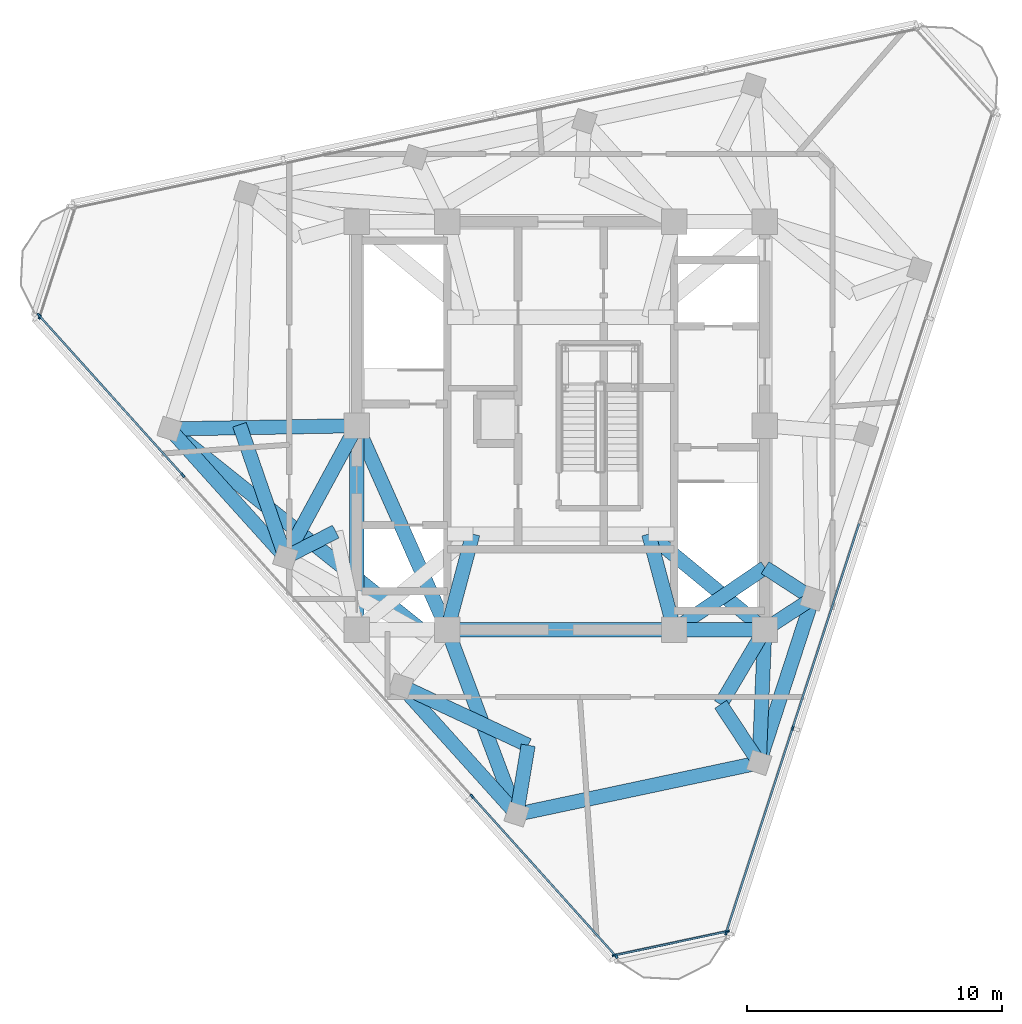
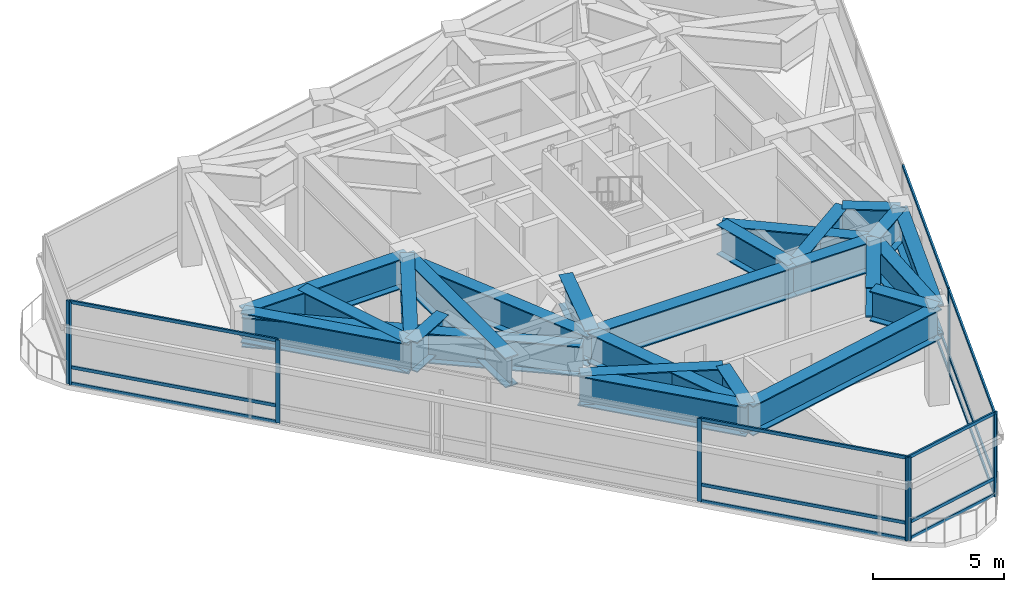
# One storey, part 3 of 11: 25 beams, 24 members, 4 elements without a shape of their own.
"""IFC4 building model written with IfcOpenShell, lengths in metres."""

from ifc_helpers import new_model, si_unit, direction, frame, origin, origin_2d, place, context, subcontext, project, spatial, rectangle, i_section, extrude, material, layer, layer_set, material_profile, profile_set, type_object, element, aggregate, save


model = new_model("IFC4")

# Units and contexts
model_context = context("Model", 3, precision=1e-05, world=origin(), true_north=direction((0.0, 1.0)))
body_context = subcontext(model_context, "Body", "Model", "MODEL_VIEW")
ifc_project = project(units=[si_unit("LENGTHUNIT", "METRE"), si_unit("AREAUNIT", "SQUARE_METRE"), si_unit("VOLUMEUNIT", "CUBIC_METRE"), si_unit("PLANEANGLEUNIT", "RADIAN"), si_unit("MASSUNIT", "GRAM", prefix="KILO")], contexts=[model_context])

# Site, building, storey
site_placement = place(None, origin())
site = spatial("IfcSite", under=ifc_project, at=site_placement, CompositionType="ELEMENT")
building_placement = place(site_placement, origin())
building = spatial("IfcBuilding", under=site, at=building_placement, Name="Terralouvre Media Tower", CompositionType="ELEMENT")
storey_placement = place(building_placement, frame((0.0, 0.0, 322.0)))
storey = spatial("IfcBuildingStorey", under=building, at=storey_placement, Name="L83", CompositionType="ELEMENT", Elevation=322.0)

# Curtain wall, members
ifc_material_1 = material(Name="Low-iron laminated double glazing with solar-control coating", Category="glass")
ifc_layer_1 = layer(ifc_material_1, 0.1650390625, Name="Faceted Glass-Point Crown Curtain Wall CW-06")
ifc_layer_set_1 = layer_set([ifc_layer_1], Name="Low-iron laminated double glazing with solar-control coating")
curtain_wall_type_1 = type_object("IfcCurtainWallType", Name="Faceted Glass-Point Crown Curtain Wall CW-06", PredefinedType="NOTDEFINED", material=ifc_layer_set_1)
curtain_wall_1_placement = place(storey_placement, origin())
curtain_wall_1 = element("IfcCurtainWall", 1, at=curtain_wall_1_placement, inside=storey, type_object=curtain_wall_type_1, Name="L83 Facade Curtain Wall F0", PredefinedType="NOTDEFINED")
ifc_material_2 = material(Name="Anodised extruded aluminium 6063-T6", Category="aluminium")
ifc_material_profile_1 = material_profile(ifc_material_2, rectangle(XDim=0.074951171875, YDim=0.14990234375, at=origin_2d()), Name="ALU 75x150")
ifc_profile_set_1 = profile_set([ifc_material_profile_1], Name="Anodised extruded aluminium 6063-T6")
member_type_1 = type_object("IfcMemberType", Name="Curtain-Wall Horizontal Transom TR-150", PredefinedType="USERDEFINED", material=ifc_profile_set_1)
member_1_placement = place(storey_placement, frame((6.49853515625, -19.85498046875, 0.03759765625), z_axis=(0.309027979033, 0.951052947093, 0.0), x_axis=(-0.951052947093, 0.309027979033, 0.0)))
member_1 = element("IfcMember", 2, at=member_1_placement, type_object=member_type_1, Name="CW-06 transom 1.1", ObjectType="TRANSOM", PredefinedType="USERDEFINED", context=body_context, shape_type="SweptSolid", body=[
    extrude(rectangle(XDim=0.074951171875, YDim=0.14990234375, at=origin_2d()), origin(), (0.0, 0.0, 1.0), 8.362548828125),
])
member_2_placement = place(storey_placement, frame((6.49853515625, -19.85498046875, 0.800048828125), z_axis=(0.309027979033, 0.951052947093, 0.0), x_axis=(-0.951052947093, 0.309027979033, 0.0)))
member_2 = element("IfcMember", 3, at=member_2_placement, type_object=member_type_1, Name="CW-06 transom 1.2", ObjectType="TRANSOM", PredefinedType="USERDEFINED", context=body_context, shape_type="SweptSolid", body=[
    extrude(rectangle(XDim=0.074951171875, YDim=0.14990234375, at=origin_2d()), origin(), (0.0, 0.0, 1.0), 8.362548828125),
])
member_3_placement = place(storey_placement, frame((6.49853515625, -19.85498046875, 3.842529296875), z_axis=(0.309027979033, 0.951052947093, 0.0), x_axis=(-0.951052947093, 0.309027979033, 0.0)))
member_3 = element("IfcMember", 4, at=member_3_placement, type_object=member_type_1, Name="CW-06 transom 1.3", ObjectType="TRANSOM", PredefinedType="USERDEFINED", context=body_context, shape_type="SweptSolid", body=[
    extrude(rectangle(XDim=0.074951171875, YDim=0.14990234375, at=origin_2d()), origin(), (0.0, 0.0, 1.0), 8.362548828125),
])
member_4_placement = place(storey_placement, frame((9.10595703125, -11.830322265625, 0.03759765625), z_axis=(0.30901640812, 0.951056706781, 0.0), x_axis=(-0.951056706781, 0.30901640812, 0.0)))
member_4 = element("IfcMember", 5, at=member_4_placement, type_object=member_type_1, Name="CW-06 transom 2.1", ObjectType="TRANSOM", PredefinedType="USERDEFINED", context=body_context, shape_type="SweptSolid", body=[
    extrude(rectangle(XDim=0.074951171875, YDim=0.14990234375, at=origin_2d()), origin(), (0.0, 0.0, 1.0), 8.39990234375),
])
member_5_placement = place(storey_placement, frame((9.10595703125, -11.830322265625, 0.800048828125), z_axis=(0.30901640812, 0.951056706781, 0.0), x_axis=(-0.951056706781, 0.30901640812, 0.0)))
member_5 = element("IfcMember", 6, at=member_5_placement, type_object=member_type_1, Name="CW-06 transom 2.2", ObjectType="TRANSOM", PredefinedType="USERDEFINED", context=body_context, shape_type="SweptSolid", body=[
    extrude(rectangle(XDim=0.074951171875, YDim=0.14990234375, at=origin_2d()), origin(), (0.0, 0.0, 1.0), 8.39990234375),
])
member_6_placement = place(storey_placement, frame((9.10595703125, -11.830322265625, 3.842529296875), z_axis=(0.30901640812, 0.951056706781, 0.0), x_axis=(-0.951056706781, 0.30901640812, 0.0)))
member_6 = element("IfcMember", 7, at=member_6_placement, type_object=member_type_1, Name="CW-06 transom 2.3", ObjectType="TRANSOM", PredefinedType="USERDEFINED", context=body_context, shape_type="SweptSolid", body=[
    extrude(rectangle(XDim=0.074951171875, YDim=0.14990234375, at=origin_2d()), origin(), (0.0, 0.0, 1.0), 8.39990234375),
])

curtain_wall_2_placement = place(storey_placement, origin())
curtain_wall_2 = element("IfcCurtainWall", 8, at=curtain_wall_2_placement, inside=storey, type_object=curtain_wall_type_1, Name="L83 Facade Curtain Wall F2", PredefinedType="NOTDEFINED")
member_7_placement = place(storey_placement, frame((-20.4443359375, 4.299560546875, 0.03759765625), z_axis=(0.669134073638, -0.74314170351, 0.0), x_axis=(0.74314170351, 0.669134073638, 0.0)))
member_7 = element("IfcMember", 9, at=member_7_placement, type_object=member_type_1, Name="CW-06 transom 1.1", ObjectType="TRANSOM", PredefinedType="USERDEFINED", context=body_context, shape_type="SweptSolid", body=[
    extrude(rectangle(XDim=0.074951171875, YDim=0.14990234375, at=origin_2d()), origin(), (0.0, 0.0, 1.0), 8.362548828125),
])
member_8_placement = place(storey_placement, frame((-20.4443359375, 4.299560546875, 0.800048828125), z_axis=(0.669134073638, -0.74314170351, 0.0), x_axis=(0.74314170351, 0.669134073638, 0.0)))
member_8 = element("IfcMember", 10, at=member_8_placement, type_object=member_type_1, Name="CW-06 transom 1.2", ObjectType="TRANSOM", PredefinedType="USERDEFINED", context=body_context, shape_type="SweptSolid", body=[
    extrude(rectangle(XDim=0.074951171875, YDim=0.14990234375, at=origin_2d()), origin(), (0.0, 0.0, 1.0), 8.362548828125),
])
member_9_placement = place(storey_placement, frame((-20.4443359375, 4.299560546875, 3.842529296875), z_axis=(0.669134073638, -0.74314170351, 0.0), x_axis=(0.74314170351, 0.669134073638, 0.0)))
member_9 = element("IfcMember", 11, at=member_9_placement, type_object=member_type_1, Name="CW-06 transom 1.3", ObjectType="TRANSOM", PredefinedType="USERDEFINED", context=body_context, shape_type="SweptSolid", body=[
    extrude(rectangle(XDim=0.074951171875, YDim=0.14990234375, at=origin_2d()), origin(), (0.0, 0.0, 1.0), 8.362548828125),
])
member_10_placement = place(storey_placement, frame((-3.45654296875, -14.567138671875, 0.03759765625), z_axis=(0.669117950316, -0.743156220834, 0.0), x_axis=(0.743156220834, 0.669117950316, 0.0)))
member_10 = element("IfcMember", 12, at=member_10_placement, type_object=member_type_1, Name="CW-06 transom 4.1", ObjectType="TRANSOM", PredefinedType="USERDEFINED", context=body_context, shape_type="SweptSolid", body=[
    extrude(rectangle(XDim=0.074951171875, YDim=0.14990234375, at=origin_2d()), origin(), (0.0, 0.0, 1.0), 8.362548828125),
])
member_11_placement = place(storey_placement, frame((-3.45654296875, -14.567138671875, 0.800048828125), z_axis=(0.669117950316, -0.743156220834, 0.0), x_axis=(0.743156220834, 0.669117950316, 0.0)))
member_11 = element("IfcMember", 13, at=member_11_placement, type_object=member_type_1, Name="CW-06 transom 4.2", ObjectType="TRANSOM", PredefinedType="USERDEFINED", context=body_context, shape_type="SweptSolid", body=[
    extrude(rectangle(XDim=0.074951171875, YDim=0.14990234375, at=origin_2d()), origin(), (0.0, 0.0, 1.0), 8.362548828125),
])
member_12_placement = place(storey_placement, frame((-3.45654296875, -14.567138671875, 3.842529296875), z_axis=(0.669117950316, -0.743156220834, 0.0), x_axis=(0.743156220834, 0.669117950316, 0.0)))
member_12 = element("IfcMember", 14, at=member_12_placement, type_object=member_type_1, Name="CW-06 transom 4.3", ObjectType="TRANSOM", PredefinedType="USERDEFINED", context=body_context, shape_type="SweptSolid", body=[
    extrude(rectangle(XDim=0.074951171875, YDim=0.14990234375, at=origin_2d()), origin(), (0.0, 0.0, 1.0), 8.362548828125),
])

ifc_material_3 = material(Name="Low-iron laminated double glazing with solar-control coating", Category="glass")
ifc_layer_2 = layer(ifc_material_3, 0.1650390625, Name="Rounded Wind-Corner Curved Glazing CW-04")
ifc_layer_set_2 = layer_set([ifc_layer_2], Name="Low-iron laminated double glazing with solar-control coating")
curtain_wall_type_2 = type_object("IfcCurtainWallType", Name="Rounded Wind-Corner Curved Glazing CW-04", PredefinedType="NOTDEFINED", material=ifc_layer_set_2)
curtain_wall_3_placement = place(storey_placement, origin())
curtain_wall_3 = element("IfcCurtainWall", 15, at=curtain_wall_3_placement, inside=storey, type_object=curtain_wall_type_2, Name="L83 Rounded Wind-Corner Curtain Wall C0", PredefinedType="NOTDEFINED")
member_13_placement = place(storey_placement, frame((2.144287109375, -20.76513671875, 0.03759765625), z_axis=(0.978147110007, 0.207913999491, 0.0), x_axis=(-0.207913999491, 0.978147110007, 0.0)))
member_13 = element("IfcMember", 16, at=member_13_placement, type_object=member_type_1, Name="CW-04 transom 1.1", ObjectType="TRANSOM", PredefinedType="USERDEFINED", context=body_context, shape_type="SweptSolid", body=[
    extrude(rectangle(XDim=0.074951171875, YDim=0.14990234375, at=origin_2d()), origin(), (0.0, 0.0, 1.0), 4.439697265625),
])
member_14_placement = place(storey_placement, frame((2.144287109375, -20.76513671875, 0.800048828125), z_axis=(0.978147110007, 0.207913999491, 0.0), x_axis=(-0.207913999491, 0.978147110007, 0.0)))
member_14 = element("IfcMember", 17, at=member_14_placement, type_object=member_type_1, Name="CW-04 transom 1.2", ObjectType="TRANSOM", PredefinedType="USERDEFINED", context=body_context, shape_type="SweptSolid", body=[
    extrude(rectangle(XDim=0.074951171875, YDim=0.14990234375, at=origin_2d()), origin(), (0.0, 0.0, 1.0), 4.439697265625),
])
member_15_placement = place(storey_placement, frame((2.144287109375, -20.76513671875, 3.842529296875), z_axis=(0.978147110007, 0.207913999491, 0.0), x_axis=(-0.207913999491, 0.978147110007, 0.0)))
member_15 = element("IfcMember", 18, at=member_15_placement, type_object=member_type_1, Name="CW-04 transom 1.3", ObjectType="TRANSOM", PredefinedType="USERDEFINED", context=body_context, shape_type="SweptSolid", body=[
    extrude(rectangle(XDim=0.074951171875, YDim=0.14990234375, at=origin_2d()), origin(), (0.0, 0.0, 1.0), 4.439697265625),
])

# Member
ifc_material_4 = material(Name="Anodised extruded aluminium 6063-T6", Category="aluminium")
ifc_material_profile_2 = material_profile(ifc_material_4, rectangle(XDim=0.074951171875, YDim=0.179931640625, at=origin_2d()), Name="ALU 75x180")
ifc_profile_set_2 = profile_set([ifc_material_profile_2], Name="Anodised extruded aluminium 6063-T6")
member_type_2 = type_object("IfcMemberType", Name="Curtain-Wall Vertical Mullion ML-180", PredefinedType="MULLION", material=ifc_profile_set_2)
member_16_placement = place(storey_placement, frame((6.487060546875, -19.890625, 0.0), z_axis=(0.0, 0.0, 1.0), x_axis=(-0.9510565808, 0.30901679585, 0.0)))
member_16 = element("IfcMember", 19, at=member_16_placement, type_object=member_type_2, Name="CW-06 mullion 1", PredefinedType="MULLION", context=body_context, shape_type="SweptSolid", body=[
    extrude(rectangle(XDim=0.074951171875, YDim=0.179931640625, at=origin_2d()), origin(), (0.0, 0.0, 1.0), 3.8798828125),
])

member_17_placement = place(storey_placement, frame((9.094482421875, -11.865966796875, 0.0), z_axis=(0.0, 0.0, 1.0), x_axis=(-0.9510565808, 0.30901679585, 0.0)))
member_17 = element("IfcMember", 20, at=member_17_placement, type_object=member_type_2, Name="CW-06 mullion 2", PredefinedType="MULLION", context=body_context, shape_type="SweptSolid", body=[
    extrude(rectangle(XDim=0.074951171875, YDim=0.179931640625, at=origin_2d()), origin(), (0.0, 0.0, 1.0), 3.8798828125),
])

aggregate(curtain_wall_1, [member_16, member_17, member_1, member_2, member_3, member_4, member_5, member_6])

member_18_placement = place(storey_placement, frame((-20.46923828125, 4.327392578125, 0.0), z_axis=(0.0, 0.0, 1.0), x_axis=(0.743144795125, 0.669130640069, 0.0)))
member_18 = element("IfcMember", 21, at=member_18_placement, type_object=member_type_2, Name="CW-06 mullion 1", PredefinedType="MULLION", context=body_context, shape_type="SweptSolid", body=[
    extrude(rectangle(XDim=0.074951171875, YDim=0.179931640625, at=origin_2d()), origin(), (0.0, 0.0, 1.0), 3.8798828125),
])

member_19_placement = place(storey_placement, frame((-14.823486328125, -1.94287109375, 0.0), z_axis=(0.0, 0.0, 1.0), x_axis=(0.743144795125, 0.669130640069, 0.0)))
member_19 = element("IfcMember", 22, at=member_19_placement, type_object=member_type_2, Name="CW-06 mullion 2", PredefinedType="MULLION", context=body_context, shape_type="SweptSolid", body=[
    extrude(rectangle(XDim=0.074951171875, YDim=0.179931640625, at=origin_2d()), origin(), (0.0, 0.0, 1.0), 3.8798828125),
])

member_20_placement = place(storey_placement, frame((-3.481689453125, -14.539306640625, 0.0), z_axis=(0.0, 0.0, 1.0), x_axis=(0.743144795125, 0.669130640069, 0.0)))
member_20 = element("IfcMember", 23, at=member_20_placement, type_object=member_type_2, Name="CW-06 mullion 4", PredefinedType="MULLION", context=body_context, shape_type="SweptSolid", body=[
    extrude(rectangle(XDim=0.074951171875, YDim=0.179931640625, at=origin_2d()), origin(), (0.0, 0.0, 1.0), 3.8798828125),
])

member_21_placement = place(storey_placement, frame((2.1640625, -20.8095703125, 0.0), z_axis=(0.0, 0.0, 1.0), x_axis=(0.743144795125, 0.669130640069, 0.0)))
member_21 = element("IfcMember", 24, at=member_21_placement, type_object=member_type_2, Name="CW-06 mullion 5", PredefinedType="MULLION", context=body_context, shape_type="SweptSolid", body=[
    extrude(rectangle(XDim=0.074951171875, YDim=0.179931640625, at=origin_2d()), origin(), (0.0, 0.0, 1.0), 3.8798828125),
])

aggregate(curtain_wall_2, [member_18, member_19, member_20, member_21, member_7, member_8, member_9, member_10, member_11, member_12])

member_22_placement = place(storey_placement, frame((2.107421875, -20.77294921875, 0.0), z_axis=(0.0, 0.0, 1.0), x_axis=(-0.207911181887, 0.97814770891, 0.0)))
member_22 = element("IfcMember", 25, at=member_22_placement, type_object=member_type_2, Name="CW-04 mullion 1", PredefinedType="MULLION", context=body_context, shape_type="SweptSolid", body=[
    extrude(rectangle(XDim=0.074951171875, YDim=0.179931640625, at=origin_2d()), origin(), (0.0, 0.0, 1.0), 3.8798828125),
])

member_23_placement = place(storey_placement, frame((6.523681640625, -19.834228515625, 0.0), z_axis=(0.0, 0.0, 1.0), x_axis=(-0.207911181887, 0.97814770891, 0.0)))
member_23 = element("IfcMember", 26, at=member_23_placement, type_object=member_type_2, Name="CW-04 mullion 2", PredefinedType="MULLION", context=body_context, shape_type="SweptSolid", body=[
    extrude(rectangle(XDim=0.074951171875, YDim=0.179931640625, at=origin_2d()), origin(), (0.0, 0.0, 1.0), 3.8798828125),
])

aggregate(curtain_wall_3, [member_22, member_23, member_13, member_14, member_15])

# Curtain wall, member
curtain_wall_4_placement = place(storey_placement, origin())
curtain_wall_4 = element("IfcCurtainWall", 27, at=curtain_wall_4_placement, inside=storey, type_object=curtain_wall_type_2, Name="L83 Rounded Wind-Corner Curtain Wall C2", PredefinedType="NOTDEFINED")
member_24_placement = place(storey_placement, frame((-20.438720703125, 4.267333984375, 0.0), z_axis=(0.0, 0.0, 1.0), x_axis=(0.951056225058, -0.309017890708, 0.0)))
member_24 = element("IfcMember", 28, at=member_24_placement, type_object=member_type_2, Name="CW-04 mullion 2", PredefinedType="MULLION", context=body_context, shape_type="SweptSolid", body=[
    extrude(rectangle(XDim=0.074951171875, YDim=0.179931640625, at=origin_2d()), origin(), (0.0, 0.0, 1.0), 3.8798828125),
])
aggregate(curtain_wall_4, [member_24])

# Beams
ifc_material_5 = material(Name="Structural steel S460M", Category="steel")
ifc_material_profile_3 = material_profile(ifc_material_5, i_section(OverallWidth=0.56005859375, OverallDepth=1.39990234375, WebThickness=0.031982421875, FlangeThickness=0.050048828125, at=origin_2d()), Name="TG 1400x560")
ifc_profile_set_3 = profile_set([ifc_material_profile_3], Name="Structural steel S460M")
beam_type = type_object("IfcBeamType", Name="Welded Transfer Girder TG-1400 (TG 1400x560)", PredefinedType="USERDEFINED", material=ifc_profile_set_3)
beam_1_placement = place(storey_placement, frame((-4.449951171875, -8.0, 3.679931640625), z_axis=(1.0, 0.0, 0.0), x_axis=(0.0, 1.0, 0.0)))
element("IfcBeam", 29, at=beam_1_placement, inside=storey, type_object=beam_type, Name="L83 Framing Beam BM-L83-CPR02", ObjectType="TRANSFER GIRDER", PredefinedType="USERDEFINED", context=body_context, shape_type="SweptSolid", body=[
    extrude(i_section(OverallWidth=0.56005859375, OverallDepth=1.39990234375, WebThickness=0.031982421875, FlangeThickness=0.050048828125, at=origin_2d()), origin(), (0.0, 0.0, 1.0), 8.89990234375),
])
beam_2_placement = place(storey_placement, frame((4.449951171875, -8.0, 3.679931640625), z_axis=(1.0, 0.0, 0.0), x_axis=(0.0, 1.0, 0.0)))
element("IfcBeam", 30, at=beam_2_placement, inside=storey, type_object=beam_type, Name="L83 Framing Beam BM-L83-CPR03", ObjectType="TRANSFER GIRDER", PredefinedType="USERDEFINED", context=body_context, shape_type="SweptSolid", body=[
    extrude(i_section(OverallWidth=0.56005859375, OverallDepth=1.39990234375, WebThickness=0.031982421875, FlangeThickness=0.050048828125, at=origin_2d()), origin(), (0.0, 0.0, 1.0), 3.550048828125),
])
beam_3_placement = place(storey_placement, frame((-8.0, 0.0, 3.679931640625), z_axis=(0.0, -1.0, 0.0), x_axis=(1.0, 0.0, 0.0)))
element("IfcBeam", 31, at=beam_3_placement, inside=storey, type_object=beam_type, Name="L83 Framing Beam BM-L83-CPR10", ObjectType="TRANSFER GIRDER", PredefinedType="USERDEFINED", context=body_context, shape_type="SweptSolid", body=[
    extrude(i_section(OverallWidth=0.56005859375, OverallDepth=1.39990234375, WebThickness=0.031982421875, FlangeThickness=0.050048828125, at=origin_2d()), origin(), (0.0, 0.0, 1.0), 8.0),
])
for number, where, z_axis, x_axis, name in (
    (32, (-15.3408203125, -0.1279296875, 3.679931640625), (0.669119894102, -0.743154470697, 0.0), (0.743154470697, 0.669119894102, 0.0), "L83 Framing Beam BM-L83-PR01"),
    (33, (-6.267578125, -10.205078125, 3.679931640625), (0.669157686189, -0.743120441795, 0.0), (0.743120441795, 0.669157686189, 0.0), "L83 Framing Beam BM-L83-PR03"),
):
    element("IfcBeam", number, at=place(storey_placement, frame(where, z_axis=z_axis, x_axis=x_axis)), inside=storey, type_object=beam_type, Name=name, ObjectType="TRANSFER GIRDER", PredefinedType="USERDEFINED", context=body_context, shape_type="SweptSolid", body=[
        extrude(i_section(OverallWidth=0.56005859375, OverallDepth=1.39990234375, WebThickness=0.031982421875, FlangeThickness=0.050048828125, at=origin_2d()), origin(), (0.0, 0.0, 1.0), 6.780029296875),
    ])
beam_4_placement = place(storey_placement, frame((-1.730712890625, -15.243408203125, 3.679931640625), z_axis=(0.978149725687, 0.207901693448, 0.0), x_axis=(-0.207901693448, 0.978149725687, 0.0)))
element("IfcBeam", 34, at=beam_4_placement, inside=storey, type_object=beam_type, Name="L83 Framing Beam BM-L83-PR04", ObjectType="TRANSFER GIRDER", PredefinedType="USERDEFINED", context=body_context, shape_type="SweptSolid", body=[
    extrude(i_section(OverallWidth=0.56005859375, OverallDepth=1.39990234375, WebThickness=0.031982421875, FlangeThickness=0.050048828125, at=origin_2d()), origin(), (0.0, 0.0, 1.0), 9.724365234375),
])
beam_5_placement = place(storey_placement, frame((7.78125, -13.2216796875, 3.679931640625), z_axis=(0.309024191767, 0.951054177691, 0.0), x_axis=(-0.951054177691, 0.309024191767, 0.0)))
element("IfcBeam", 35, at=beam_5_placement, inside=storey, type_object=beam_type, Name="L83 Framing Beam BM-L83-PR05", ObjectType="TRANSFER GIRDER", PredefinedType="USERDEFINED", context=body_context, shape_type="SweptSolid", body=[
    extrude(i_section(OverallWidth=0.56005859375, OverallDepth=1.39990234375, WebThickness=0.031982421875, FlangeThickness=0.050048828125, at=origin_2d()), origin(), (0.0, 0.0, 1.0), 6.780029296875),
])
beam_6_placement = place(storey_placement, frame((-8.0, 0.0, 3.679931640625), z_axis=(-0.999848181539, -0.017424519327, 0.0), x_axis=(0.017424519327, -0.999848181539, 0.0)))
element("IfcBeam", 36, at=beam_6_placement, inside=storey, type_object=beam_type, Name="L83 Framing Beam BM-L83-RD01", ObjectType="TRANSFER GIRDER", PredefinedType="USERDEFINED", context=body_context, shape_type="SweptSolid", body=[
    extrude(i_section(OverallWidth=0.56005859375, OverallDepth=1.39990234375, WebThickness=0.031982421875, FlangeThickness=0.050048828125, at=origin_2d()), origin(), (0.0, 0.0, 1.0), 7.342041015625),
])
beam_7_placement = place(storey_placement, frame((-8.0, 0.0, 3.679931640625), z_axis=(-0.477029538434, -0.878887262088, 0.0), x_axis=(0.878887262088, -0.477029538434, 0.0)))
element("IfcBeam", 37, at=beam_7_placement, inside=storey, type_object=beam_type, Name="L83 Framing Beam BM-L83-RD02", ObjectType="TRANSFER GIRDER", PredefinedType="USERDEFINED", context=body_context, shape_type="SweptSolid", body=[
    extrude(i_section(OverallWidth=0.56005859375, OverallDepth=1.39990234375, WebThickness=0.031982421875, FlangeThickness=0.050048828125, at=origin_2d()), origin(), (0.0, 0.0, 1.0), 5.87841796875),
])
beam_8_placement = place(storey_placement, frame((-4.449951171875, -8.0, 3.679931640625), z_axis=(0.351458852326, -0.93620333001, 0.0), x_axis=(0.93620333001, 0.351458852326, 0.0)))
element("IfcBeam", 38, at=beam_8_placement, inside=storey, type_object=beam_type, Name="L83 Framing Beam BM-L83-RD04", ObjectType="TRANSFER GIRDER", PredefinedType="USERDEFINED", context=body_context, shape_type="SweptSolid", body=[
    extrude(i_section(OverallWidth=0.56005859375, OverallDepth=1.39990234375, WebThickness=0.031982421875, FlangeThickness=0.050048828125, at=origin_2d()), origin(), (0.0, 0.0, 1.0), 7.737060546875),
])
beam_9_placement = place(storey_placement, frame((8.0, -8.0, 3.679931640625), z_axis=(-0.041855937722, -0.99912365625, 0.0), x_axis=(0.99912365625, -0.041855937722, 0.0)))
element("IfcBeam", 39, at=beam_9_placement, inside=storey, type_object=beam_type, Name="L83 Framing Beam BM-L83-RD05", ObjectType="TRANSFER GIRDER", PredefinedType="USERDEFINED", context=body_context, shape_type="SweptSolid", body=[
    extrude(i_section(OverallWidth=0.56005859375, OverallDepth=1.39990234375, WebThickness=0.031982421875, FlangeThickness=0.050048828125, at=origin_2d()), origin(), (0.0, 0.0, 1.0), 5.226318359375),
])
beam_10_placement = place(storey_placement, frame((8.0, -8.0, 3.679931640625), z_axis=(0.837042510711, 0.547137857639, 0.0), x_axis=(-0.547137857639, 0.837042510711, 0.0)))
element("IfcBeam", 40, at=beam_10_placement, inside=storey, type_object=beam_type, Name="L83 Framing Beam BM-L83-RD06", ObjectType="TRANSFER GIRDER", PredefinedType="USERDEFINED", context=body_context, shape_type="SweptSolid", body=[
    extrude(i_section(OverallWidth=0.56005859375, OverallDepth=1.39990234375, WebThickness=0.031982421875, FlangeThickness=0.050048828125, at=origin_2d()), origin(), (0.0, 0.0, 1.0), 2.24169921875),
])
beam_11_placement = place(storey_placement, frame((-4.449951171875, -8.0, 3.47998046875), z_axis=(-0.405613005771, 0.914044905653, 0.0), x_axis=(-0.914044905653, -0.405613005771, 0.0)))
element("IfcBeam", 41, at=beam_11_placement, inside=storey, type_object=beam_type, Name="L83 Framing Beam BM-L83-TRC01", ObjectType="TRANSFER GIRDER", PredefinedType="USERDEFINED", context=body_context, shape_type="SweptSolid", body=[
    extrude(i_section(OverallWidth=0.56005859375, OverallDepth=1.39990234375, WebThickness=0.031982421875, FlangeThickness=0.050048828125, at=origin_2d()), origin(), (0.0, 0.0, 1.0), 8.752197265625),
])
for number, where, z_axis, x_axis, name in (
    (42, (-3.449951171875, -4.25, 3.679931640625), (-0.25766265056, -0.966234939601, 0.0), (0.966234939601, -0.25766265056, 0.0), "L83 Framing Beam BM-L83-TR01S1"),
    (43, (3.449951171875, -4.25, 3.679931640625), (0.25766265056, -0.966234939601, 0.0), (0.966234939601, 0.25766265056, 0.0), "L83 Framing Beam BM-L83-TR02S1"),
):
    element("IfcBeam", number, at=place(storey_placement, frame(where, z_axis=z_axis, x_axis=x_axis)), inside=storey, type_object=beam_type, Name=name, ObjectType="TRANSFER GIRDER", PredefinedType="USERDEFINED", context=body_context, shape_type="SweptSolid", body=[
        extrude(i_section(OverallWidth=0.56005859375, OverallDepth=1.39990234375, WebThickness=0.031982421875, FlangeThickness=0.050048828125, at=origin_2d()), origin(), (0.0, 0.0, 1.0), 3.881103515625),
    ])
beam_12_placement = place(storey_placement, frame((3.449951171875, -4.25, 3.679931640625), z_axis=(0.771688742944, -0.636000380513, 0.0), x_axis=(0.636000380513, 0.771688742944, 0.0)))
element("IfcBeam", 44, at=beam_12_placement, inside=storey, type_object=beam_type, Name="L83 Framing Beam BM-L83-TR02S2", ObjectType="TRANSFER GIRDER", PredefinedType="USERDEFINED", context=body_context, shape_type="SweptSolid", body=[
    extrude(i_section(OverallWidth=0.56005859375, OverallDepth=1.39990234375, WebThickness=0.031982421875, FlangeThickness=0.050048828125, at=origin_2d()), origin(), (0.0, 0.0, 1.0), 5.896240234375),
])
beam_13_placement = place(storey_placement, frame((6.269287109375, -10.932373046875, 3.679931640625), z_axis=(0.551101285224, -0.834438358073, 0.0), x_axis=(0.834438358073, 0.551101285224, 0.0)))
element("IfcBeam", 45, at=beam_13_placement, inside=storey, type_object=beam_type, Name="L83 Framing Beam BM-L83-TR05S1", ObjectType="TRANSFER GIRDER", PredefinedType="USERDEFINED", context=body_context, shape_type="SweptSolid", body=[
    extrude(i_section(OverallWidth=0.56005859375, OverallDepth=1.39990234375, WebThickness=0.031982421875, FlangeThickness=0.050048828125, at=origin_2d()), origin(), (0.0, 0.0, 1.0), 2.743408203125),
])
beam_14_placement = place(storey_placement, frame((6.269287109375, -10.932373046875, 3.679931640625), z_axis=(0.508282352924, 0.861190483985, 0.0), x_axis=(-0.861190483985, 0.508282352924, 0.0)))
element("IfcBeam", 46, at=beam_14_placement, inside=storey, type_object=beam_type, Name="L83 Framing Beam BM-L83-TR05S2", ObjectType="TRANSFER GIRDER", PredefinedType="USERDEFINED", context=body_context, shape_type="SweptSolid", body=[
    extrude(i_section(OverallWidth=0.56005859375, OverallDepth=1.39990234375, WebThickness=0.031982421875, FlangeThickness=0.050048828125, at=origin_2d()), origin(), (0.0, 0.0, 1.0), 3.405029296875),
])
beam_15_placement = place(storey_placement, frame((8.011962890625, -5.568359375, 3.679931640625), z_axis=(0.839850337945, -0.542818026463, 0.0), x_axis=(0.542818026463, 0.839850337945, 0.0)))
element("IfcBeam", 47, at=beam_15_placement, inside=storey, type_object=beam_type, Name="L83 Framing Beam BM-L83-TR06S1", ObjectType="TRANSFER GIRDER", PredefinedType="USERDEFINED", context=body_context, shape_type="SweptSolid", body=[
    extrude(i_section(OverallWidth=0.56005859375, OverallDepth=1.39990234375, WebThickness=0.031982421875, FlangeThickness=0.050048828125, at=origin_2d()), origin(), (0.0, 0.0, 1.0), 2.219970703125),
])
beam_16_placement = place(storey_placement, frame((8.011962890625, -5.568359375, 3.679931640625), z_axis=(-0.825903849159, -0.563810989556, 0.0), x_axis=(0.563810989556, -0.825903849159, 0.0)))
element("IfcBeam", 48, at=beam_16_placement, inside=storey, type_object=beam_type, Name="L83 Framing Beam BM-L83-TR06S2", ObjectType="TRANSFER GIRDER", PredefinedType="USERDEFINED", context=body_context, shape_type="SweptSolid", body=[
    extrude(i_section(OverallWidth=0.56005859375, OverallDepth=1.39990234375, WebThickness=0.031982421875, FlangeThickness=0.050048828125, at=origin_2d()), origin(), (0.0, 0.0, 1.0), 4.312744140625),
])
beam_17_placement = place(storey_placement, frame((-12.602294921875, 0.036865234375, 3.679931640625), z_axis=(0.326612454381, -0.945158348978, 0.0), x_axis=(0.945158348978, 0.326612454381, 0.0)))
element("IfcBeam", 49, at=beam_17_placement, inside=storey, type_object=beam_type, Name="L83 Framing Beam BM-L83-TR13S1", ObjectType="TRANSFER GIRDER", PredefinedType="USERDEFINED", context=body_context, shape_type="SweptSolid", body=[
    extrude(i_section(OverallWidth=0.56005859375, OverallDepth=1.39990234375, WebThickness=0.031982421875, FlangeThickness=0.050048828125, at=origin_2d()), origin(), (0.0, 0.0, 1.0), 5.50537109375),
])
beam_18_placement = place(storey_placement, frame((-8.828369140625, -4.154541015625, 3.679931640625), z_axis=(-0.890052071721, -0.455858870293, 0.0), x_axis=(0.455858870293, -0.890052071721, 0.0)))
element("IfcBeam", 50, at=beam_18_placement, inside=storey, type_object=beam_type, Name="L83 Framing Beam BM-L83-TR14S1", ObjectType="TRANSFER GIRDER", PredefinedType="USERDEFINED", context=body_context, shape_type="SweptSolid", body=[
    extrude(i_section(OverallWidth=0.56005859375, OverallDepth=1.39990234375, WebThickness=0.031982421875, FlangeThickness=0.050048828125, at=origin_2d()), origin(), (0.0, 0.0, 1.0), 2.219970703125),
])
beam_19_placement = place(storey_placement, frame((-5.054443359375, -8.345703125, 3.47998046875), z_axis=(-0.781288346837, 0.624170264508, 0.0), x_axis=(-0.624170264508, -0.781288346837, 0.0)))
element("IfcBeam", 51, at=beam_19_placement, inside=storey, type_object=beam_type, Name="L83 Framing Beam BM-L83-TR15S2", ObjectType="TRANSFER GIRDER", PredefinedType="USERDEFINED", context=body_context, shape_type="SweptSolid", body=[
    extrude(i_section(OverallWidth=0.56005859375, OverallDepth=1.39990234375, WebThickness=0.031982421875, FlangeThickness=0.050048828125, at=origin_2d()), origin(), (0.0, 0.0, 1.0), 13.166015625),
])
beam_20_placement = place(storey_placement, frame((-1.280517578125, -12.537109375, 3.679931640625), z_axis=(-0.16409593552, -0.986444384619, 0.0), x_axis=(0.986444384619, -0.16409593552, 0.0)))
element("IfcBeam", 52, at=beam_20_placement, inside=storey, type_object=beam_type, Name="L83 Framing Beam BM-L83-TR16S1", ObjectType="TRANSFER GIRDER", PredefinedType="USERDEFINED", context=body_context, shape_type="SweptSolid", body=[
    extrude(i_section(OverallWidth=0.56005859375, OverallDepth=1.39990234375, WebThickness=0.031982421875, FlangeThickness=0.050048828125, at=origin_2d()), origin(), (0.0, 0.0, 1.0), 2.743408203125),
])
beam_21_placement = place(storey_placement, frame((-1.280517578125, -12.537109375, 3.679931640625), z_axis=(-0.90585318379, 0.423591795739, 0.0), x_axis=(-0.423591795739, -0.90585318379, 0.0)))
element("IfcBeam", 53, at=beam_21_placement, inside=storey, type_object=beam_type, Name="L83 Framing Beam BM-L83-TR16S2", ObjectType="TRANSFER GIRDER", PredefinedType="USERDEFINED", context=body_context, shape_type="SweptSolid", body=[
    extrude(i_section(OverallWidth=0.56005859375, OverallDepth=1.39990234375, WebThickness=0.031982421875, FlangeThickness=0.050048828125, at=origin_2d()), origin(), (0.0, 0.0, 1.0), 5.50537109375),
])

save(model, "model.ifc")
